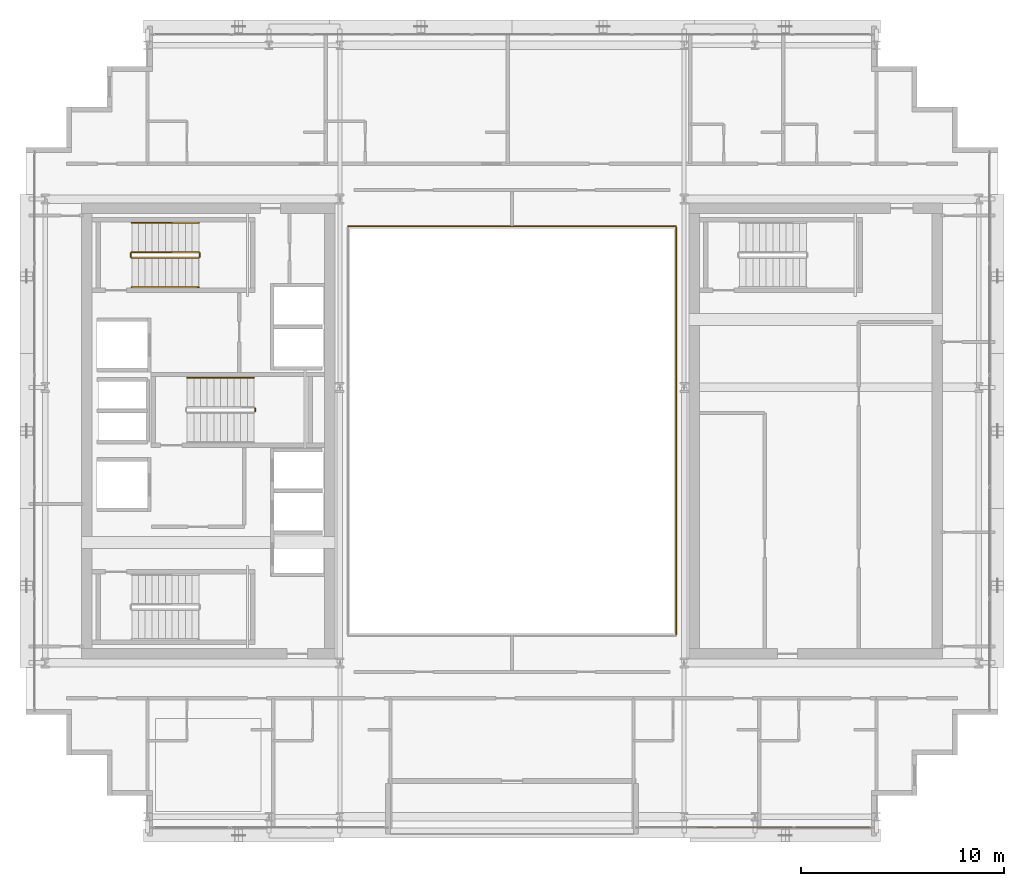
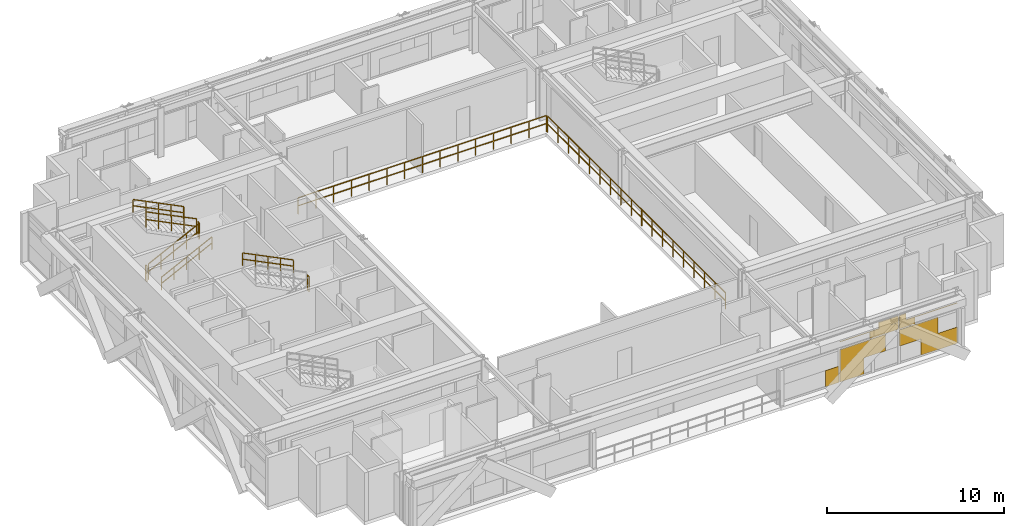
# One storey, part 29 of 31: 10 railings, 1 covering.
"""IFC4 building model written with IfcOpenShell, lengths in metres."""

from ifc_helpers import new_model, si_unit, direction, frame, origin, origin_2d, place, context, subcontext, project, spatial, rectangle, extrude, material, layer, layer_set, type_object, element, save


model = new_model("IFC4")

# Units and contexts
model_context = context("Model", 3, precision=1e-05, world=origin(), true_north=direction((0.0, 1.0)))
body_context = subcontext(model_context, "Body", "Model", "MODEL_VIEW")
ifc_project = project(units=[si_unit("LENGTHUNIT", "METRE"), si_unit("AREAUNIT", "SQUARE_METRE"), si_unit("VOLUMEUNIT", "CUBIC_METRE"), si_unit("PLANEANGLEUNIT", "RADIAN"), si_unit("MASSUNIT", "GRAM", prefix="KILO")], contexts=[model_context])

# Site, building, storey
site_placement = place(None, origin())
site = spatial("IfcSite", under=ifc_project, at=site_placement, CompositionType="ELEMENT")
building_placement = place(site_placement, origin())
building = spatial("IfcBuilding", under=site, at=building_placement, Name="Ocotamira Hotel", CompositionType="ELEMENT")
storey_placement = place(building_placement, frame((0.0, 0.0, 181.199951171875)))
storey = spatial("IfcBuildingStorey", under=building, at=storey_placement, Name="L45", CompositionType="ELEMENT", Elevation=181.199951171875)

# Covering
ifc_material_1 = material(Name="Insulated pale-metal aluminium spandrel panel", Category="aluminium")
ifc_layer = layer(ifc_material_1, 0.044921875)
ifc_layer_set = layer_set([ifc_layer], Name="Insulated pale-metal aluminium spandrel panel")
covering_type = type_object("IfcCoveringType", Name="COV-INFILL-45", PredefinedType="CLADDING", material=ifc_layer_set)
covering_placement = place(storey_placement, origin())
element("IfcCovering", 1, at=covering_placement, inside=storey, type_object=covering_type, Name="L45 Curtain Wall Infill CW-4 CW-L45-S2", PredefinedType="CLADDING", context=body_context, shape_type="SweptSolid", body=[
    extrude(rectangle(XDim=0.85888671875, YDim=0.044921875, at=origin_2d()), frame((41.5634765625, 6.419921875, 0.07568359375), z_axis=(0.0, 0.0, 1.0), x_axis=(1.0, 0.0, 0.0)), (0.0, 0.0, 1.0), 1.117919921875),
    extrude(rectangle(XDim=1.578125, YDim=0.044921875, at=origin_2d()), frame((42.86279296875, 6.419921875, 0.07568359375), z_axis=(0.0, 0.0, 1.0), x_axis=(1.0, 0.0, 0.0)), (0.0, 0.0, 1.0), 1.117919921875),
    extrude(rectangle(XDim=2.9765625, YDim=0.044921875, at=origin_2d()), frame((43.56201171875, 6.419921875, 1.1943359375), z_axis=(0.0, 0.0, 1.0), x_axis=(1.0, 0.0, 0.0)), (0.0, 0.0, 1.0), 1.11767578125),
    extrude(rectangle(XDim=3.80224609375, YDim=0.044921875, at=origin_2d()), frame((43.97509765625, 6.419921875, 2.83154296875), z_axis=(0.0, 0.0, 1.0), x_axis=(1.0, 0.0, 0.0)), (0.0, 0.0, 1.0), 0.0302734375),
    extrude(rectangle(XDim=1.8515625, YDim=0.044921875, at=origin_2d()), frame((44.950439453125, 6.419921875, 2.38818359375), z_axis=(0.0, 0.0, 1.0), x_axis=(1.0, 0.0, 0.0)), (0.0, 0.0, 1.0), 0.442626953125),
    extrude(rectangle(XDim=1.258056640625, YDim=0.044921875, at=origin_2d()), frame((45.2470703125, 6.419921875, 2.863037109375), z_axis=(0.0, 0.0, 1.0), x_axis=(1.0, 0.0, 0.0)), (0.0, 0.0, 1.0), 0.431640625),
    extrude(rectangle(XDim=2.510498046875, YDim=0.044921875, at=origin_2d()), frame((47.21240234375, 6.419921875, 1.1943359375), z_axis=(0.0, 0.0, 1.0), x_axis=(1.0, 0.0, 0.0)), (0.0, 0.0, 1.0), 1.11767578125),
    extrude(rectangle(XDim=2.37158203125, YDim=0.044921875, at=origin_2d()), frame((48.53369140625, 6.419921875, 0.07568359375), z_axis=(0.0, 0.0, 1.0), x_axis=(1.0, 0.0, 0.0)), (0.0, 0.0, 1.0), 1.117919921875),
    extrude(rectangle(XDim=1.018310546875, YDim=0.044921875, at=origin_2d()), frame((46.46630859375, 6.419921875, 2.38818359375), z_axis=(0.0, 0.0, 1.0), x_axis=(1.0, 0.0, 0.0)), (0.0, 0.0, 1.0), 0.442626953125),
    extrude(rectangle(XDim=3.76220703125, YDim=0.044921875, at=origin_2d()), frame((47.83837890625, 6.419921875, 2.83154296875), z_axis=(0.0, 0.0, 1.0), x_axis=(1.0, 0.0, 0.0)), (0.0, 0.0, 1.0), 0.0302734375),
    extrude(rectangle(XDim=0.4248046875, YDim=0.044921875, at=origin_2d()), frame((46.16943359375, 6.419921875, 2.863037109375), z_axis=(0.0, 0.0, 1.0), x_axis=(1.0, 0.0, 0.0)), (0.0, 0.0, 1.0), 0.431640625),
])

# Railings
ifc_material_2 = material(Name="Painted steel stair guardrail", Category="steel")
railing_type_1 = type_object("IfcRailingType", Name="RL-EDGE-1150", PredefinedType="GUARDRAIL", material=ifc_material_2)
railing_1_placement = place(storey_placement, frame((40.1201171875, 15.9599609375, 0.0)))
element("IfcRailing", 2, at=railing_1_placement, inside=storey, type_object=railing_type_1, Name="L45 Central Atrium Edge Guardrail E", PredefinedType="GUARDRAIL", context=body_context, shape_type="SweptSolid", body=[
    extrude(rectangle(XDim=0.048095703125, YDim=0.048095703125, at=origin_2d()), frame((0.0, 0.0, 1.1259765625), z_axis=(0.0, 1.0, 0.0), x_axis=(-1.0, 0.0, 0.0)), (0.0, 0.0, 1.0), 20.080078125),
    extrude(rectangle(XDim=0.048095703125, YDim=0.048095703125, at=origin_2d()), frame((0.0, 0.0, 0.574951171875), z_axis=(0.0, 1.0, 0.0), x_axis=(-1.0, 0.0, 0.0)), (0.0, 0.0, 1.0), 20.080078125),
    extrude(rectangle(XDim=0.0419921875, YDim=0.0419921875, at=origin_2d()), origin(), (0.0, 0.0, 1.0), 1.101806640625),
    extrude(rectangle(XDim=0.0419921875, YDim=0.0419921875, at=origin_2d()), frame((0.0, 1.18115234375, 0.0)), (0.0, 0.0, 1.0), 1.101806640625),
    extrude(rectangle(XDim=0.0419921875, YDim=0.0419921875, at=origin_2d()), frame((0.0, 2.3623046875, 0.0)), (0.0, 0.0, 1.0), 1.101806640625),
    extrude(rectangle(XDim=0.0419921875, YDim=0.0419921875, at=origin_2d()), frame((0.0, 3.54345703125, 0.0)), (0.0, 0.0, 1.0), 1.101806640625),
    extrude(rectangle(XDim=0.0419921875, YDim=0.0419921875, at=origin_2d()), frame((0.0, 4.724609375, 0.0)), (0.0, 0.0, 1.0), 1.101806640625),
    extrude(rectangle(XDim=0.0419921875, YDim=0.0419921875, at=origin_2d()), frame((0.0, 5.906005859375, 0.0)), (0.0, 0.0, 1.0), 1.101806640625),
    extrude(rectangle(XDim=0.0419921875, YDim=0.0419921875, at=origin_2d()), frame((0.0, 7.087158203125, 0.0)), (0.0, 0.0, 1.0), 1.101806640625),
    extrude(rectangle(XDim=0.0419921875, YDim=0.0419921875, at=origin_2d()), frame((0.0, 8.268310546875, 0.0)), (0.0, 0.0, 1.0), 1.101806640625),
    extrude(rectangle(XDim=0.0419921875, YDim=0.0419921875, at=origin_2d()), frame((0.0, 9.449462890625, 0.0)), (0.0, 0.0, 1.0), 1.101806640625),
    extrude(rectangle(XDim=0.0419921875, YDim=0.0419921875, at=origin_2d()), frame((0.0, 10.630615234375, 0.0)), (0.0, 0.0, 1.0), 1.101806640625),
    extrude(rectangle(XDim=0.0419921875, YDim=0.0419921875, at=origin_2d()), frame((0.0, 11.811767578125, 0.0)), (0.0, 0.0, 1.0), 1.101806640625),
    extrude(rectangle(XDim=0.0419921875, YDim=0.0419921875, at=origin_2d()), frame((0.0, 12.992919921875, 0.0)), (0.0, 0.0, 1.0), 1.101806640625),
    extrude(rectangle(XDim=0.0419921875, YDim=0.0419921875, at=origin_2d()), frame((0.0, 14.174072265625, 0.0)), (0.0, 0.0, 1.0), 1.101806640625),
    extrude(rectangle(XDim=0.0419921875, YDim=0.0419921875, at=origin_2d()), frame((0.0, 15.35546875, 0.0)), (0.0, 0.0, 1.0), 1.101806640625),
    extrude(rectangle(XDim=0.0419921875, YDim=0.0419921875, at=origin_2d()), frame((0.0, 16.53662109375, 0.0)), (0.0, 0.0, 1.0), 1.101806640625),
    extrude(rectangle(XDim=0.0419921875, YDim=0.0419921875, at=origin_2d()), frame((0.0, 17.7177734375, 0.0)), (0.0, 0.0, 1.0), 1.101806640625),
    extrude(rectangle(XDim=0.0419921875, YDim=0.0419921875, at=origin_2d()), frame((0.0, 18.89892578125, 0.0)), (0.0, 0.0, 1.0), 1.101806640625),
    extrude(rectangle(XDim=0.0419921875, YDim=0.0419921875, at=origin_2d()), frame((0.0, 20.080078125, 0.0)), (0.0, 0.0, 1.0), 1.101806640625),
])
railing_2_placement = place(storey_placement, frame((40.10009765625, 36.1201171875, 0.0)))
element("IfcRailing", 3, at=railing_2_placement, inside=storey, type_object=railing_type_1, Name="L45 Central Atrium Edge Guardrail N", PredefinedType="GUARDRAIL", context=body_context, shape_type="SweptSolid", body=[
    extrude(rectangle(XDim=0.048095703125, YDim=0.048095703125, at=origin_2d()), frame((0.0, 0.0, 1.1259765625), z_axis=(-1.0, 0.0, 0.0), x_axis=(0.0, -1.0, 0.0)), (0.0, 0.0, 1.0), 16.2001953125),
    extrude(rectangle(XDim=0.048095703125, YDim=0.048095703125, at=origin_2d()), frame((0.0, 0.0, 0.574951171875), z_axis=(-1.0, 0.0, 0.0), x_axis=(0.0, -1.0, 0.0)), (0.0, 0.0, 1.0), 16.2001953125),
    extrude(rectangle(XDim=0.0419921875, YDim=0.0419921875, at=origin_2d()), origin(), (0.0, 0.0, 1.0), 1.101806640625),
    extrude(rectangle(XDim=0.0419921875, YDim=0.0419921875, at=origin_2d()), frame((-1.1572265625, 0.0, 0.0)), (0.0, 0.0, 1.0), 1.101806640625),
    extrude(rectangle(XDim=0.0419921875, YDim=0.0419921875, at=origin_2d()), frame((-2.314208984375, 0.0, 0.0)), (0.0, 0.0, 1.0), 1.101806640625),
    extrude(rectangle(XDim=0.0419921875, YDim=0.0419921875, at=origin_2d()), frame((-3.471435546875, 0.0, 0.0)), (0.0, 0.0, 1.0), 1.101806640625),
    extrude(rectangle(XDim=0.0419921875, YDim=0.0419921875, at=origin_2d()), frame((-4.628662109375, 0.0, 0.0)), (0.0, 0.0, 1.0), 1.101806640625),
    extrude(rectangle(XDim=0.0419921875, YDim=0.0419921875, at=origin_2d()), frame((-5.785888671875, 0.0, 0.0)), (0.0, 0.0, 1.0), 1.101806640625),
    extrude(rectangle(XDim=0.0419921875, YDim=0.0419921875, at=origin_2d()), frame((-6.94287109375, 0.0, 0.0)), (0.0, 0.0, 1.0), 1.101806640625),
    extrude(rectangle(XDim=0.0419921875, YDim=0.0419921875, at=origin_2d()), frame((-8.10009765625, 0.0, 0.0)), (0.0, 0.0, 1.0), 1.101806640625),
    extrude(rectangle(XDim=0.0419921875, YDim=0.0419921875, at=origin_2d()), frame((-9.25732421875, 0.0, 0.0)), (0.0, 0.0, 1.0), 1.101806640625),
    extrude(rectangle(XDim=0.0419921875, YDim=0.0419921875, at=origin_2d()), frame((-10.414306640625, 0.0, 0.0)), (0.0, 0.0, 1.0), 1.101806640625),
    extrude(rectangle(XDim=0.0419921875, YDim=0.0419921875, at=origin_2d()), frame((-11.571533203125, 0.0, 0.0)), (0.0, 0.0, 1.0), 1.101806640625),
    extrude(rectangle(XDim=0.0419921875, YDim=0.0419921875, at=origin_2d()), frame((-12.728759765625, 0.0, 0.0)), (0.0, 0.0, 1.0), 1.101806640625),
    extrude(rectangle(XDim=0.0419921875, YDim=0.0419921875, at=origin_2d()), frame((-13.885986328125, 0.0, 0.0)), (0.0, 0.0, 1.0), 1.101806640625),
    extrude(rectangle(XDim=0.0419921875, YDim=0.0419921875, at=origin_2d()), frame((-15.04296875, 0.0, 0.0)), (0.0, 0.0, 1.0), 1.101806640625),
    extrude(rectangle(XDim=0.0419921875, YDim=0.0419921875, at=origin_2d()), frame((-16.2001953125, 0.0, 0.0)), (0.0, 0.0, 1.0), 1.101806640625),
])
ifc_material_3 = material(Name="Brushed stainless steel handrail", Category="steel")
railing_type_2 = type_object("IfcRailingType", Name="RL-HAND-900", PredefinedType="HANDRAIL", material=ifc_material_3)
railing_3_placement = place(storey_placement, frame((13.22998046875, 33.10009765625, 0.327392578125)))
element("IfcRailing", 4, at=railing_3_placement, inside=storey, type_object=railing_type_2, Name="L45 ST-2 stair handrail 1", PredefinedType="HANDRAIL", context=body_context, shape_type="SweptSolid", body=[
    extrude(rectangle(XDim=0.048095703125, YDim=0.048095703125, at=origin_2d()), frame((0.0, 0.0, 0.8759765625), z_axis=(0.895920123917, 0.0, 0.444215186098), x_axis=(0.0, 1.0, 0.0)), (0.0, 0.0, 1.0), 3.683349609375),
    extrude(rectangle(XDim=0.048095703125, YDim=0.048095703125, at=origin_2d()), frame((0.0, 0.0, 0.449951171875), z_axis=(0.895920123917, 0.0, 0.444215186098), x_axis=(0.0, 1.0, 0.0)), (0.0, 0.0, 1.0), 3.683349609375),
    extrude(rectangle(XDim=0.0419921875, YDim=0.0419921875, at=origin_2d()), origin(), (0.0, 0.0, 1.0), 0.851806640625),
    extrude(rectangle(XDim=0.0419921875, YDim=0.0419921875, at=origin_2d()), frame((0.824951171875, 0.0, 0.4091796875)), (0.0, 0.0, 1.0), 0.851806640625),
    extrude(rectangle(XDim=0.0419921875, YDim=0.0419921875, at=origin_2d()), frame((1.64990234375, 0.0, 0.818115234375)), (0.0, 0.0, 1.0), 0.851806640625),
    extrude(rectangle(XDim=0.0419921875, YDim=0.0419921875, at=origin_2d()), frame((2.47509765625, 0.0, 1.22705078125)), (0.0, 0.0, 1.0), 0.851806640625),
    extrude(rectangle(XDim=0.0419921875, YDim=0.0419921875, at=origin_2d()), frame((3.300048828125, 0.0, 1.63623046875)), (0.0, 0.0, 1.0), 0.851806640625),
])
for number, where, name in (
    (5, (16.530029296875, 36.280029296875, 2.12744140625), "L45 ST-2 stair handrail 2"),
    (6, (19.260009765625, 28.6298828125, 2.12744140625), "L45 ST-3 stair handrail 2"),
):
    element("IfcRailing", number, at=place(storey_placement, frame(where)), inside=storey, type_object=railing_type_2, Name=name, PredefinedType="HANDRAIL", context=body_context, shape_type="SweptSolid", body=[
        extrude(rectangle(XDim=0.048095703125, YDim=0.048095703125, at=origin_2d()), frame((0.0, 0.0, 0.8759765625), z_axis=(-0.895920123917, 0.0, 0.444215186098), x_axis=(0.0, -1.0, 0.0)), (0.0, 0.0, 1.0), 3.683349609375),
        extrude(rectangle(XDim=0.048095703125, YDim=0.048095703125, at=origin_2d()), frame((0.0, 0.0, 0.449951171875), z_axis=(-0.895920123917, 0.0, 0.444215186098), x_axis=(0.0, -1.0, 0.0)), (0.0, 0.0, 1.0), 3.683349609375),
        extrude(rectangle(XDim=0.0419921875, YDim=0.0419921875, at=origin_2d()), origin(), (0.0, 0.0, 1.0), 0.851806640625),
        extrude(rectangle(XDim=0.0419921875, YDim=0.0419921875, at=origin_2d()), frame((-0.824951171875, 0.0, 0.4091796875)), (0.0, 0.0, 1.0), 0.851806640625),
        extrude(rectangle(XDim=0.0419921875, YDim=0.0419921875, at=origin_2d()), frame((-1.64990234375, 0.0, 0.818115234375)), (0.0, 0.0, 1.0), 0.851806640625),
        extrude(rectangle(XDim=0.0419921875, YDim=0.0419921875, at=origin_2d()), frame((-2.47509765625, 0.0, 1.22705078125)), (0.0, 0.0, 1.0), 0.851806640625),
        extrude(rectangle(XDim=0.0419921875, YDim=0.0419921875, at=origin_2d()), frame((-3.300048828125, 0.0, 1.63623046875)), (0.0, 0.0, 1.0), 0.851806640625),
    ])
railing_type_3 = type_object("IfcRailingType", Name="RL-STAIR-1100", PredefinedType="GUARDRAIL", material=ifc_material_2)
railing_4_placement = place(storey_placement, frame((13.22998046875, 34.56005859375, 0.16357421875)))
element("IfcRailing", 7, at=railing_4_placement, inside=storey, type_object=railing_type_3, Name="L45 ST-2 stair guard 1", PredefinedType="GUARDRAIL", context=body_context, shape_type="SweptSolid", body=[
    extrude(rectangle(XDim=0.048095703125, YDim=0.048095703125, at=origin_2d()), frame((0.0, 0.0, 1.076171875), z_axis=(0.895893744519, 0.0, 0.4442683857), x_axis=(0.0, 1.0, 0.0)), (0.0, 0.0, 1.0), 3.68359375),
    extrude(rectangle(XDim=0.048095703125, YDim=0.048095703125, at=origin_2d()), frame((0.0, 0.0, 0.550048828125), z_axis=(0.895893744519, 0.0, 0.4442683857), x_axis=(0.0, 1.0, 0.0)), (0.0, 0.0, 1.0), 3.68359375),
    extrude(rectangle(XDim=0.0419921875, YDim=0.0419921875, at=origin_2d()), origin(), (0.0, 0.0, 1.0), 1.052001953125),
    extrude(rectangle(XDim=0.0419921875, YDim=0.0419921875, at=origin_2d()), frame((0.824951171875, 0.0, 0.4091796875)), (0.0, 0.0, 1.0), 1.052001953125),
    extrude(rectangle(XDim=0.0419921875, YDim=0.0419921875, at=origin_2d()), frame((1.64990234375, 0.0, 0.818359375)), (0.0, 0.0, 1.0), 1.052001953125),
    extrude(rectangle(XDim=0.0419921875, YDim=0.0419921875, at=origin_2d()), frame((2.47509765625, 0.0, 1.227294921875)), (0.0, 0.0, 1.0), 1.052001953125),
    extrude(rectangle(XDim=0.0419921875, YDim=0.0419921875, at=origin_2d()), frame((3.300048828125, 0.0, 1.636474609375)), (0.0, 0.0, 1.0), 1.052001953125),
])
railing_5_placement = place(storey_placement, frame((16.580078125, 34.610107421875, 1.800048828125)))
element("IfcRailing", 8, at=railing_5_placement, inside=storey, type_object=railing_type_3, Name="L45 ST-2 stair guard 2", PredefinedType="GUARDRAIL", context=body_context, shape_type="SweptSolid", body=[
    extrude(rectangle(XDim=0.048095703125, YDim=0.048095703125, at=origin_2d()), frame((0.0, 0.0, 1.076171875), z_axis=(0.0, 1.0, 0.0), x_axis=(-1.0, 0.0, 0.0)), (0.0, 0.0, 1.0), 0.159912109375),
    extrude(rectangle(XDim=0.048095703125, YDim=0.048095703125, at=origin_2d()), frame((0.0, 0.0, 0.550048828125), z_axis=(0.0, 1.0, 0.0), x_axis=(-1.0, 0.0, 0.0)), (0.0, 0.0, 1.0), 0.159912109375),
    extrude(rectangle(XDim=0.0419921875, YDim=0.0419921875, at=origin_2d()), origin(), (0.0, 0.0, 1.0), 1.052001953125),
    extrude(rectangle(XDim=0.0419921875, YDim=0.0419921875, at=origin_2d()), frame((0.0, 0.159912109375, 0.0)), (0.0, 0.0, 1.0), 1.052001953125),
])
railing_6_placement = place(storey_placement, frame((16.530029296875, 34.820068359375, 1.963623046875)))
element("IfcRailing", 9, at=railing_6_placement, inside=storey, type_object=railing_type_3, Name="L45 ST-2 stair guard 3", PredefinedType="GUARDRAIL", context=body_context, shape_type="SweptSolid", body=[
    extrude(rectangle(XDim=0.048095703125, YDim=0.048095703125, at=origin_2d()), frame((0.0, 0.0, 1.076171875), z_axis=(-0.895893744519, 0.0, 0.4442683857), x_axis=(0.0, -1.0, 0.0)), (0.0, 0.0, 1.0), 3.68359375),
    extrude(rectangle(XDim=0.048095703125, YDim=0.048095703125, at=origin_2d()), frame((0.0, 0.0, 0.550048828125), z_axis=(-0.895893744519, 0.0, 0.4442683857), x_axis=(0.0, -1.0, 0.0)), (0.0, 0.0, 1.0), 3.68359375),
    extrude(rectangle(XDim=0.0419921875, YDim=0.0419921875, at=origin_2d()), origin(), (0.0, 0.0, 1.0), 1.052001953125),
    extrude(rectangle(XDim=0.0419921875, YDim=0.0419921875, at=origin_2d()), frame((-0.824951171875, 0.0, 0.4091796875)), (0.0, 0.0, 1.0), 1.052001953125),
    extrude(rectangle(XDim=0.0419921875, YDim=0.0419921875, at=origin_2d()), frame((-1.64990234375, 0.0, 0.818359375)), (0.0, 0.0, 1.0), 1.052001953125),
    extrude(rectangle(XDim=0.0419921875, YDim=0.0419921875, at=origin_2d()), frame((-2.47509765625, 0.0, 1.227294921875)), (0.0, 0.0, 1.0), 1.052001953125),
    extrude(rectangle(XDim=0.0419921875, YDim=0.0419921875, at=origin_2d()), frame((-3.300048828125, 0.0, 1.636474609375)), (0.0, 0.0, 1.0), 1.052001953125),
])
railing_7_placement = place(storey_placement, frame((13.179931640625, 34.610107421875, 0.0)))
element("IfcRailing", 10, at=railing_7_placement, inside=storey, type_object=railing_type_3, Name="L45 ST-2 stair guard 4", PredefinedType="GUARDRAIL", context=body_context, shape_type="SweptSolid", body=[
    extrude(rectangle(XDim=0.048095703125, YDim=0.048095703125, at=origin_2d()), frame((0.0, 0.0, 1.076171875), z_axis=(0.0, 1.0, 0.0), x_axis=(-1.0, 0.0, 0.0)), (0.0, 0.0, 1.0), 0.159912109375),
    extrude(rectangle(XDim=0.048095703125, YDim=0.048095703125, at=origin_2d()), frame((0.0, 0.0, 0.550048828125), z_axis=(0.0, 1.0, 0.0), x_axis=(-1.0, 0.0, 0.0)), (0.0, 0.0, 1.0), 0.159912109375),
    extrude(rectangle(XDim=0.0419921875, YDim=0.0419921875, at=origin_2d()), origin(), (0.0, 0.0, 1.0), 1.052001953125),
    extrude(rectangle(XDim=0.0419921875, YDim=0.0419921875, at=origin_2d()), frame((0.0, 0.159912109375, 0.0)), (0.0, 0.0, 1.0), 1.052001953125),
])
railing_8_placement = place(storey_placement, frame((19.31005859375, 26.9599609375, 1.800048828125)))
element("IfcRailing", 11, at=railing_8_placement, inside=storey, type_object=railing_type_3, Name="L45 ST-3 stair guard 2", PredefinedType="GUARDRAIL", context=body_context, shape_type="SweptSolid", body=[
    extrude(rectangle(XDim=0.048095703125, YDim=0.048095703125, at=origin_2d()), frame((0.0, 0.0, 1.076171875), z_axis=(0.0, 1.0, 0.0), x_axis=(-1.0, 0.0, 0.0)), (0.0, 0.0, 1.0), 0.16015625),
    extrude(rectangle(XDim=0.048095703125, YDim=0.048095703125, at=origin_2d()), frame((0.0, 0.0, 0.550048828125), z_axis=(0.0, 1.0, 0.0), x_axis=(-1.0, 0.0, 0.0)), (0.0, 0.0, 1.0), 0.16015625),
    extrude(rectangle(XDim=0.0419921875, YDim=0.0419921875, at=origin_2d()), origin(), (0.0, 0.0, 1.0), 1.052001953125),
    extrude(rectangle(XDim=0.0419921875, YDim=0.0419921875, at=origin_2d()), frame((0.0, 0.16015625, 0.0)), (0.0, 0.0, 1.0), 1.052001953125),
])

save(model, "model.ifc")
